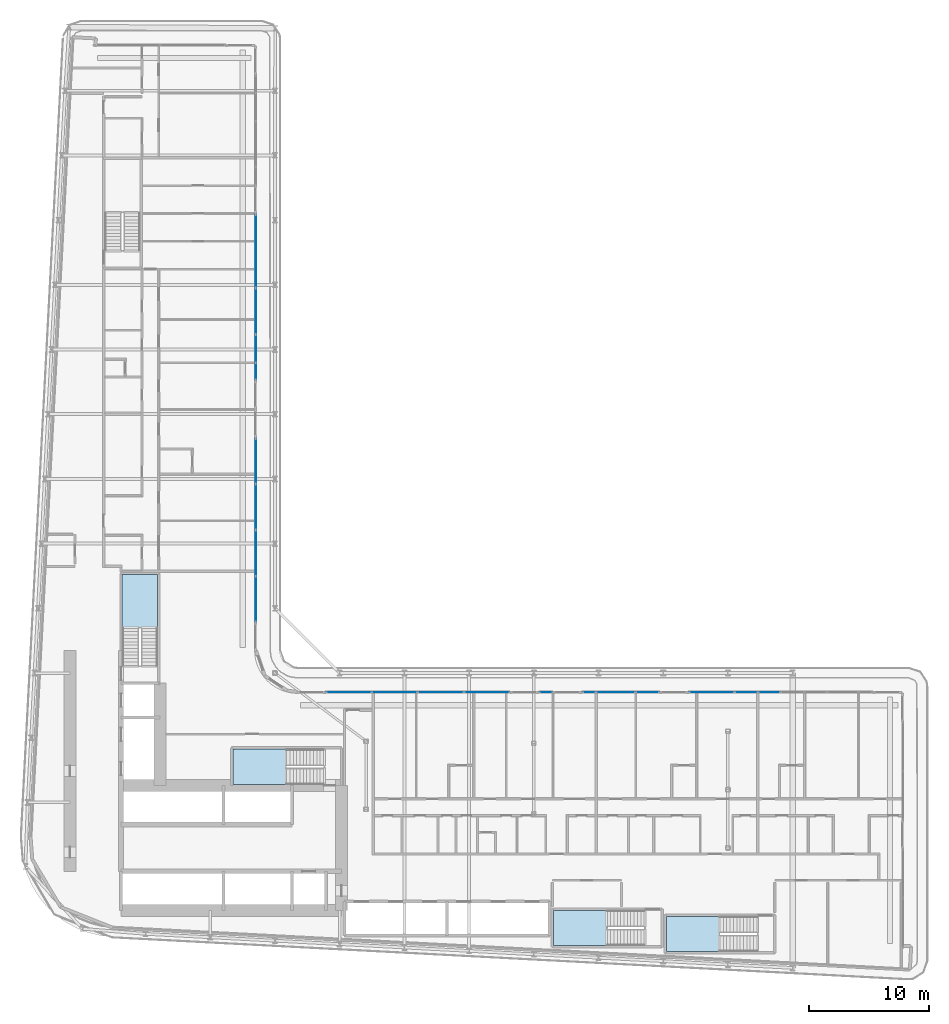
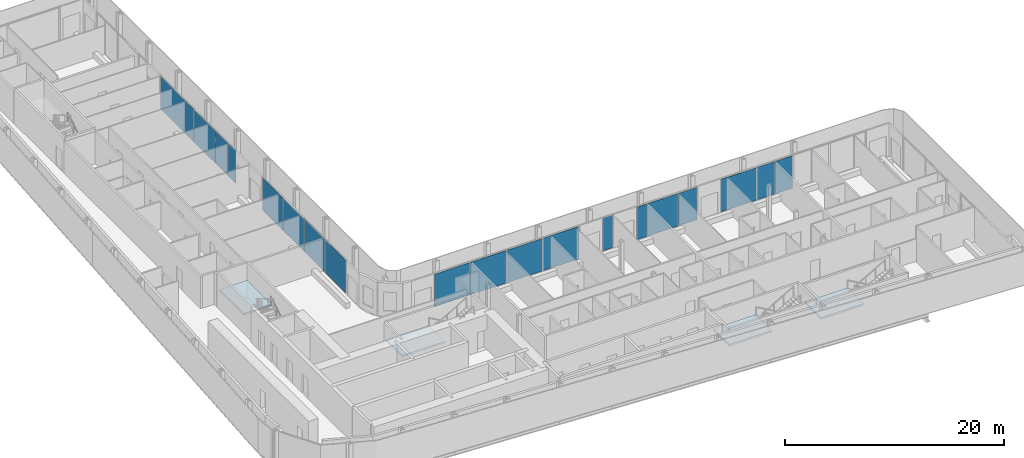
# One storey, part 10 of 29: 19 plates, 4 slabs, 13 elements without a shape of their own.
"""IFC4 building model written with IfcOpenShell, lengths in metres."""

from ifc_helpers import new_model, si_unit, direction, frame, origin, origin_2d, place, context, subcontext, project, spatial, polyline, rectangle, outline, extrude, material, layer, layer_set, type_object, element, aggregate, save


model = new_model("IFC4")

# Units and contexts
model_context = context("Model", 3, precision=1e-05, world=origin(), true_north=direction((0.0, 1.0)))
body_context = subcontext(model_context, "Body", "Model", "MODEL_VIEW")
ifc_project = project(units=[si_unit("LENGTHUNIT", "METRE"), si_unit("AREAUNIT", "SQUARE_METRE"), si_unit("VOLUMEUNIT", "CUBIC_METRE"), si_unit("PLANEANGLEUNIT", "RADIAN"), si_unit("MASSUNIT", "GRAM", prefix="KILO")], contexts=[model_context])

# Site, building, storey
site_placement = place(None, origin())
site = spatial("IfcSite", under=ifc_project, at=site_placement, CompositionType="ELEMENT")
building_placement = place(site_placement, origin())
building = spatial("IfcBuilding", under=site, at=building_placement, Name="Kheshtan School and Residences Tower", CompositionType="ELEMENT")
storey_placement = place(building_placement, frame((0.0, 0.0, 65.60009765625)))
storey = spatial("IfcBuildingStorey", under=building, at=storey_placement, Name="L15", CompositionType="ELEMENT", Elevation=65.60009765625)

# Curtain wall, plate
ifc_material_1 = material(Name="Clear low-e glass in thermally broken aluminium frame", Category="aluminium")
ifc_layer_1 = layer(ifc_material_1, 0.199951171875)
ifc_layer_set_1 = layer_set([ifc_layer_1], Name="Curtain wall CW-L")
curtain_wall_type = type_object("IfcCurtainWallType", Name="Curtain wall CW-L", PredefinedType="NOTDEFINED", material=ifc_layer_set_1)
curtain_wall_1_placement = place(storey_placement, origin())
curtain_wall_1 = element("IfcCurtainWall", 1, at=curtain_wall_1_placement, inside=storey, type_object=curtain_wall_type, Name="Curtain wall CWL8d", PredefinedType="NOTDEFINED")
ifc_layer_2 = layer(ifc_material_1, 0.031982421875)
ifc_layer_set_2 = layer_set([ifc_layer_2], Name="CW-L glass panel")
plate_type = type_object("IfcPlateType", Name="CW-L glass panel", PredefinedType="CURTAIN_PANEL", material=ifc_layer_set_2)
plate_1_placement = place(storey_placement, frame((46.0, 80.80908203125, 0.0), z_axis=(0.0, 0.0, 1.0), x_axis=(0.0, -1.0, 0.0)))
plate_1 = element("IfcPlate", 2, at=plate_1_placement, type_object=plate_type, Name="CWL8d panel 1.1", PredefinedType="CURTAIN_PANEL", context=body_context, shape_type="SweptSolid", body=[
    extrude(rectangle(XDim=6.073974609375, YDim=0.031982421875, at=origin_2d()), origin(), (0.0, 0.0, 1.0), 3.6298828125),
])
aggregate(curtain_wall_1, [plate_1])

# Curtain wall, plates
curtain_wall_2_placement = place(storey_placement, origin())
curtain_wall_2 = element("IfcCurtainWall", 3, at=curtain_wall_2_placement, inside=storey, type_object=curtain_wall_type, Name="Curtain wall CWL8c", PredefinedType="NOTDEFINED")
plate_2_placement = place(storey_placement, frame((46.0, 75.803466796875, 0.0), z_axis=(0.0, 0.0, 1.0), x_axis=(0.0, -1.0, 0.0)))
plate_2 = element("IfcPlate", 4, at=plate_2_placement, type_object=plate_type, Name="CWL8c panel 1.1", PredefinedType="CURTAIN_PANEL", context=body_context, shape_type="SweptSolid", body=[
    extrude(rectangle(XDim=3.81689453125, YDim=0.031982421875, at=origin_2d()), origin(), (0.0, 0.0, 1.0), 3.6298828125),
])
plate_3_placement = place(storey_placement, frame((46.0, 72.6826171875, 0.0), z_axis=(0.0, 0.0, 1.0), x_axis=(0.0, -1.0, 0.0)))
plate_3 = element("IfcPlate", 5, at=plate_3_placement, type_object=plate_type, Name="CWL8c panel 2.1", PredefinedType="CURTAIN_PANEL", context=body_context, shape_type="SweptSolid", body=[
    extrude(rectangle(XDim=2.304931640625, YDim=0.031982421875, at=origin_2d()), origin(), (0.0, 0.0, 1.0), 3.6298828125),
])
plate_4_placement = place(storey_placement, frame((46.0, 70.77392578125, 0.0), z_axis=(0.0, 0.0, 1.0), x_axis=(0.0, -1.0, 0.0)))
plate_4 = element("IfcPlate", 6, at=plate_4_placement, type_object=plate_type, Name="CWL8c panel 3.1", PredefinedType="CURTAIN_PANEL", context=body_context, shape_type="SweptSolid", body=[
    extrude(rectangle(XDim=1.39208984375, YDim=0.031982421875, at=origin_2d()), origin(), (0.0, 0.0, 1.0), 3.6298828125),
])
aggregate(curtain_wall_2, [plate_2, plate_3, plate_4])

curtain_wall_3_placement = place(storey_placement, origin())
curtain_wall_3 = element("IfcCurtainWall", 7, at=curtain_wall_3_placement, inside=storey, type_object=curtain_wall_type, Name="Curtain wall CWL8", PredefinedType="NOTDEFINED")
plate_5_placement = place(storey_placement, frame((46.0, 63.279541015625, 0.0), z_axis=(0.0, 0.0, 1.0), x_axis=(0.0, -1.0, 0.0)))
plate_5 = element("IfcPlate", 8, at=plate_5_placement, type_object=plate_type, Name="CWL8 panel 1.1", PredefinedType="CURTAIN_PANEL", context=body_context, shape_type="SweptSolid", body=[
    extrude(rectangle(XDim=3.757080078125, YDim=0.031982421875, at=origin_2d()), origin(), (0.0, 0.0, 1.0), 3.6298828125),
])
plate_6_placement = place(storey_placement, frame((46.0, 59.46240234375, 0.0), z_axis=(0.0, 0.0, 1.0), x_axis=(0.0, -1.0, 0.0)))
plate_6 = element("IfcPlate", 9, at=plate_6_placement, type_object=plate_type, Name="CWL8 panel 2.1", PredefinedType="CURTAIN_PANEL", context=body_context, shape_type="SweptSolid", body=[
    extrude(rectangle(XDim=3.757080078125, YDim=0.031982421875, at=origin_2d()), origin(), (0.0, 0.0, 1.0), 3.6298828125),
])
aggregate(curtain_wall_3, [plate_5, plate_6])

curtain_wall_4_placement = place(storey_placement, origin())
curtain_wall_4 = element("IfcCurtainWall", 10, at=curtain_wall_4_placement, inside=storey, type_object=curtain_wall_type, Name="Curtain wall CWL8", PredefinedType="NOTDEFINED")
plate_7_placement = place(storey_placement, frame((46.0, 55.615478515625, 0.0), z_axis=(0.0, 0.0, 1.0), x_axis=(0.0, -1.0, 0.0)))
plate_7 = element("IfcPlate", 11, at=plate_7_placement, type_object=plate_type, Name="CWL8 panel 1.1", PredefinedType="CURTAIN_PANEL", context=body_context, shape_type="SweptSolid", body=[
    extrude(rectangle(XDim=3.81689453125, YDim=0.031982421875, at=origin_2d()), origin(), (0.0, 0.0, 1.0), 3.6298828125),
])
plate_8_placement = place(storey_placement, frame((46.0, 51.7685546875, 0.0), z_axis=(0.0, 0.0, 1.0), x_axis=(0.0, -1.0, 0.0)))
plate_8 = element("IfcPlate", 12, at=plate_8_placement, type_object=plate_type, Name="CWL8 panel 2.1", PredefinedType="CURTAIN_PANEL", context=body_context, shape_type="SweptSolid", body=[
    extrude(rectangle(XDim=3.757080078125, YDim=0.031982421875, at=origin_2d()), origin(), (0.0, 0.0, 1.0), 3.6298828125),
])
aggregate(curtain_wall_4, [plate_7, plate_8])

curtain_wall_5_placement = place(storey_placement, origin())
curtain_wall_5 = element("IfcCurtainWall", 13, at=curtain_wall_5_placement, inside=storey, type_object=curtain_wall_type, Name="Curtain wall CWL12j", PredefinedType="NOTDEFINED")
plate_9_placement = place(storey_placement, frame((53.7685546875, 44.0, 0.0), z_axis=(0.0, 0.0, 1.0), x_axis=(1.0, 0.0, 0.0)))
plate_9 = element("IfcPlate", 14, at=plate_9_placement, type_object=plate_type, Name="CWL12j panel 1.1", PredefinedType="CURTAIN_PANEL", context=body_context, shape_type="SweptSolid", body=[
    extrude(rectangle(XDim=3.757080078125, YDim=0.031982421875, at=origin_2d()), origin(), (0.0, 0.0, 1.0), 3.6298828125),
])
plate_10_placement = place(storey_placement, frame((57.58544921875, 44.0, 0.0), z_axis=(0.0, 0.0, 1.0), x_axis=(1.0, 0.0, 0.0)))
plate_10 = element("IfcPlate", 15, at=plate_10_placement, type_object=plate_type, Name="CWL12j panel 2.1", PredefinedType="CURTAIN_PANEL", context=body_context, shape_type="SweptSolid", body=[
    extrude(rectangle(XDim=3.757080078125, YDim=0.031982421875, at=origin_2d()), origin(), (0.0, 0.0, 1.0), 3.6298828125),
])
aggregate(curtain_wall_5, [plate_9, plate_10])

curtain_wall_6_placement = place(storey_placement, origin())
curtain_wall_6 = element("IfcCurtainWall", 16, at=curtain_wall_6_placement, inside=storey, type_object=curtain_wall_type, Name="Curtain wall CWL12j", PredefinedType="NOTDEFINED")
plate_11_placement = place(storey_placement, frame((61.4326171875, 44.0, 0.0), z_axis=(0.0, 0.0, 1.0), x_axis=(1.0, 0.0, 0.0)))
plate_11 = element("IfcPlate", 17, at=plate_11_placement, type_object=plate_type, Name="CWL12j panel 1.1", PredefinedType="CURTAIN_PANEL", context=body_context, shape_type="SweptSolid", body=[
    extrude(rectangle(XDim=3.81689453125, YDim=0.031982421875, at=origin_2d()), origin(), (0.0, 0.0, 1.0), 3.6298828125),
])
plate_12_placement = place(storey_placement, frame((65.279541015625, 44.0, 0.0), z_axis=(0.0, 0.0, 1.0), x_axis=(1.0, 0.0, 0.0)))
plate_12 = element("IfcPlate", 18, at=plate_12_placement, type_object=plate_type, Name="CWL12j panel 2.1", PredefinedType="CURTAIN_PANEL", context=body_context, shape_type="SweptSolid", body=[
    extrude(rectangle(XDim=3.757080078125, YDim=0.031982421875, at=origin_2d()), origin(), (0.0, 0.0, 1.0), 3.6298828125),
])
aggregate(curtain_wall_6, [plate_11, plate_12])

# Curtain wall, plate
curtain_wall_7_placement = place(storey_placement, origin())
curtain_wall_7 = element("IfcCurtainWall", 19, at=curtain_wall_7_placement, inside=storey, type_object=curtain_wall_type, Name="Curtain wall CWL12b", PredefinedType="NOTDEFINED")
plate_13_placement = place(storey_placement, frame((70.218017578125, 44.0, 0.0), z_axis=(0.0, 0.0, 1.0), x_axis=(1.0, 0.0, 0.0)))
plate_13 = element("IfcPlate", 20, at=plate_13_placement, type_object=plate_type, Name="CWL12b panel 1.1", PredefinedType="CURTAIN_PANEL", context=body_context, shape_type="SweptSolid", body=[
    extrude(rectangle(XDim=1.080078125, YDim=0.031982421875, at=origin_2d()), origin(), (0.0, 0.0, 1.0), 3.6298828125),
])
aggregate(curtain_wall_7, [plate_13])

# Curtain wall, plates
curtain_wall_8_placement = place(storey_placement, origin())
curtain_wall_8 = element("IfcCurtainWall", 21, at=curtain_wall_8_placement, inside=storey, type_object=curtain_wall_type, Name="Curtain wall CWL12l", PredefinedType="NOTDEFINED")
plate_14_placement = place(storey_placement, frame((73.823974609375, 44.0, 0.0), z_axis=(0.0, 0.0, 1.0), x_axis=(1.0, 0.0, 0.0)))
plate_14 = element("IfcPlate", 22, at=plate_14_placement, type_object=plate_type, Name="CWL12l panel 1.1", PredefinedType="CURTAIN_PANEL", context=body_context, shape_type="SweptSolid", body=[
    extrude(rectangle(XDim=1.092041015625, YDim=0.031982421875, at=origin_2d()), origin(), (0.0, 0.0, 1.0), 3.6298828125),
])
plate_15_placement = place(storey_placement, frame((76.050048828125, 44.0, 0.0), z_axis=(0.0, 0.0, 1.0), x_axis=(1.0, 0.0, 0.0)))
plate_15 = element("IfcPlate", 23, at=plate_15_placement, type_object=plate_type, Name="CWL12l panel 2.1", PredefinedType="CURTAIN_PANEL", context=body_context, shape_type="SweptSolid", body=[
    extrude(rectangle(XDim=3.239990234375, YDim=0.031982421875, at=origin_2d()), origin(), (0.0, 0.0, 1.0), 3.6298828125),
])
plate_16_placement = place(storey_placement, frame((78.69091796875, 44.0, 0.0), z_axis=(0.0, 0.0, 1.0), x_axis=(1.0, 0.0, 0.0)))
plate_16 = element("IfcPlate", 24, at=plate_16_placement, type_object=plate_type, Name="CWL12l panel 3.1", PredefinedType="CURTAIN_PANEL", context=body_context, shape_type="SweptSolid", body=[
    extrude(rectangle(XDim=1.922119140625, YDim=0.031982421875, at=origin_2d()), origin(), (0.0, 0.0, 1.0), 3.6298828125),
])
aggregate(curtain_wall_8, [plate_14, plate_15, plate_16])

curtain_wall_9_placement = place(storey_placement, origin())
curtain_wall_9 = element("IfcCurtainWall", 25, at=curtain_wall_9_placement, inside=storey, type_object=curtain_wall_type, Name="Curtain wall CWL12k", PredefinedType="NOTDEFINED")
plate_17_placement = place(storey_placement, frame((84.050537109375, 44.0, 0.0), z_axis=(0.0, 0.0, 1.0), x_axis=(1.0, 0.0, 0.0)))
plate_17 = element("IfcPlate", 26, at=plate_17_placement, type_object=plate_type, Name="CWL12k panel 1.1", PredefinedType="CURTAIN_PANEL", context=body_context, shape_type="SweptSolid", body=[
    extrude(rectangle(XDim=3.757080078125, YDim=0.031982421875, at=origin_2d()), origin(), (0.0, 0.0, 1.0), 3.6298828125),
])
plate_18_placement = place(storey_placement, frame((86.929443359375, 44.0, 0.0), z_axis=(0.0, 0.0, 1.0), x_axis=(1.0, 0.0, 0.0)))
plate_18 = element("IfcPlate", 27, at=plate_18_placement, type_object=plate_type, Name="CWL12k panel 2.1", PredefinedType="CURTAIN_PANEL", context=body_context, shape_type="SweptSolid", body=[
    extrude(rectangle(XDim=1.881103515625, YDim=0.031982421875, at=origin_2d()), origin(), (0.0, 0.0, 1.0), 3.6298828125),
])
plate_19_placement = place(storey_placement, frame((88.837890625, 44.0, 0.0), z_axis=(0.0, 0.0, 1.0), x_axis=(1.0, 0.0, 0.0)))
plate_19 = element("IfcPlate", 28, at=plate_19_placement, type_object=plate_type, Name="CWL12k panel 3.1", PredefinedType="CURTAIN_PANEL", context=body_context, shape_type="SweptSolid", body=[
    extrude(rectangle(XDim=1.81591796875, YDim=0.031982421875, at=origin_2d()), origin(), (0.0, 0.0, 1.0), 3.6298828125),
])
aggregate(curtain_wall_9, [plate_17, plate_18, plate_19])

# Stair, slab
ifc_material_2 = material(Name="Concrete C40/50", Category="concrete")
stair_type = type_object("IfcStairType", Name="Exit stair, half-turn", PredefinedType="HALF_TURN_STAIR", material=ifc_material_2)
stair_1_placement = place(storey_placement, origin())
stair_1 = element("IfcStair", 29, at=stair_1_placement, inside=storey, type_object=stair_type, Name="L15 Protected Exit Stair ST1", PredefinedType="HALF_TURN_STAIR")
ifc_layer_3 = layer(ifc_material_2, 0.199951171875)
ifc_layer_set_3 = layer_set([ifc_layer_3], Name="Stair landing 200 Concrete C40/50")
slab_type = type_object("IfcSlabType", Name="Stair landing 200 Concrete C40/50", PredefinedType="LANDING", material=ifc_layer_set_3)
slab_1_placement = place(storey_placement, frame((0.0, 0.0, 1.75)))
slab_1 = element("IfcSlab", 30, at=slab_1_placement, type_object=slab_type, Name="ST1 landing 1", PredefinedType="LANDING", context=body_context, shape_type="SweptSolid", body=[
    extrude(outline(polyline([(48.570068359375, 39.25), (44.090087890625, 39.25), (44.090087890625, 36.300048828125), (48.570068359375, 36.300048828125), (48.570068359375, 39.25)])), origin(), (0.0, 0.0, 1.0), 0.199951171875),
])
aggregate(stair_1, [slab_1])

stair_2_placement = place(storey_placement, origin())
stair_2 = element("IfcStair", 31, at=stair_2_placement, inside=storey, type_object=stair_type, Name="L15 Protected Exit Stair ST2", PredefinedType="HALF_TURN_STAIR")
slab_2_placement = place(storey_placement, frame((0.0, 0.0, 1.75)))
slab_2 = element("IfcSlab", 32, at=slab_2_placement, type_object=slab_type, Name="ST2 landing 1", PredefinedType="LANDING", context=body_context, shape_type="SweptSolid", body=[
    extrude(outline(polyline([(37.800048828125, 49.330078125), (37.800048828125, 53.81005859375), (34.85009765625, 53.81005859375), (34.85009765625, 49.330078125), (37.800048828125, 49.330078125)])), origin(), (0.0, 0.0, 1.0), 0.199951171875),
])
aggregate(stair_2, [slab_2])

stair_3_placement = place(storey_placement, origin())
stair_3 = element("IfcStair", 33, at=stair_3_placement, inside=storey, type_object=stair_type, Name="L15 Protected Exit Stair ST4", PredefinedType="HALF_TURN_STAIR")
slab_3_placement = place(storey_placement, frame((0.0, 0.0, 1.75)))
slab_3 = element("IfcSlab", 34, at=slab_3_placement, type_object=slab_type, Name="ST4 landing 1", PredefinedType="LANDING", context=body_context, shape_type="SweptSolid", body=[
    extrude(outline(polyline([(84.739990234375, 25.300048828125), (80.260009765625, 25.300048828125), (80.260009765625, 22.35009765625), (84.739990234375, 22.35009765625), (84.739990234375, 25.300048828125)])), origin(), (0.0, 0.0, 1.0), 0.199951171875),
])
aggregate(stair_3, [slab_3])

stair_4_placement = place(storey_placement, origin())
stair_4 = element("IfcStair", 35, at=stair_4_placement, inside=storey, type_object=stair_type, Name="L15 Protected Exit Stair ST5", PredefinedType="HALF_TURN_STAIR")
slab_4_placement = place(storey_placement, frame((0.0, 0.0, 1.75)))
slab_4 = element("IfcSlab", 36, at=slab_4_placement, type_object=slab_type, Name="ST5 landing 1", PredefinedType="LANDING", context=body_context, shape_type="SweptSolid", body=[
    extrude(outline(polyline([(75.330078125, 25.800048828125), (70.85009765625, 25.800048828125), (70.85009765625, 22.85009765625), (75.330078125, 22.85009765625), (75.330078125, 25.800048828125)])), origin(), (0.0, 0.0, 1.0), 0.199951171875),
])
aggregate(stair_4, [slab_4])

save(model, "model.ifc")
